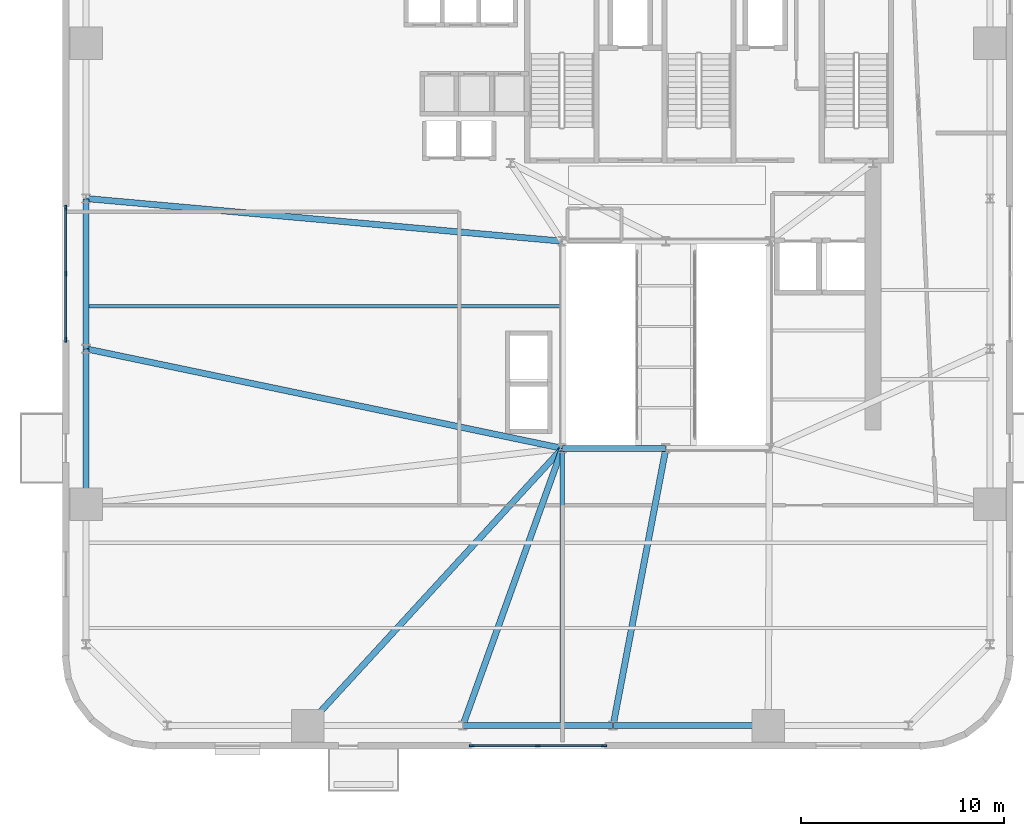
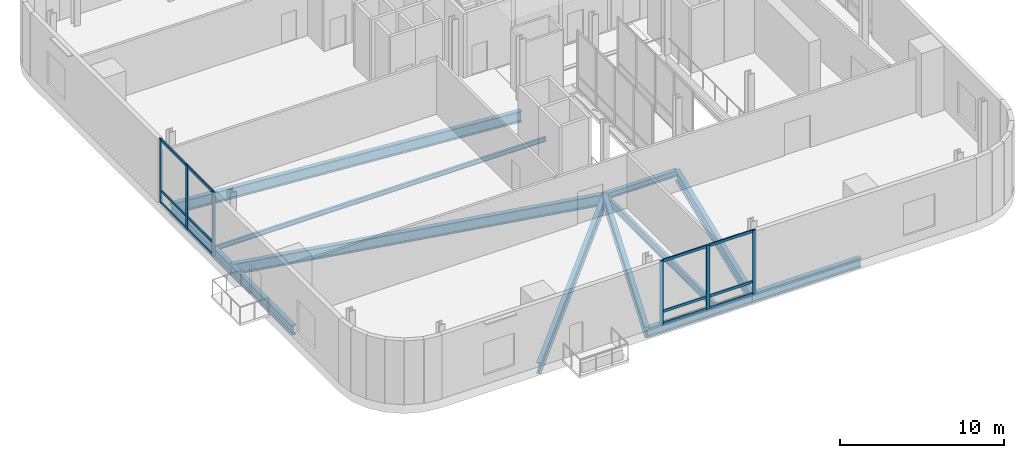
# One storey, part 2 of 13: 18 members, 12 beams, 2 elements without a shape of their own.
"""IFC4 building model written with IfcOpenShell, lengths in metres."""

from ifc_helpers import new_model, si_unit, direction, frame, origin, origin_2d, place, context, subcontext, project, spatial, rectangle, i_section, extrude, source, transform, mapped, material, material_profile, profile_set, type_object, element, aggregate, save


model = new_model("IFC4")

# Units and contexts
model_context = context("Model", 3, precision=1e-05, world=origin(), true_north=direction((0.0, 1.0)))
body_context = subcontext(model_context, "Body", "Model", "MODEL_VIEW")
ifc_project = project(units=[si_unit("LENGTHUNIT", "METRE"), si_unit("AREAUNIT", "SQUARE_METRE"), si_unit("VOLUMEUNIT", "CUBIC_METRE"), si_unit("PLANEANGLEUNIT", "RADIAN"), si_unit("MASSUNIT", "GRAM", prefix="KILO")], contexts=[model_context])

# Site, building, storey
site_placement = place(None, origin())
site = spatial("IfcSite", under=ifc_project, at=site_placement, CompositionType="ELEMENT")
building_placement = place(site_placement, origin())
building = spatial("IfcBuilding", under=site, at=building_placement, Name="Vardaveli Station Tower", CompositionType="ELEMENT")
storey_placement = place(building_placement, frame((0.0, 0.0, 98.699951171875)))
storey = spatial("IfcBuildingStorey", under=building, at=storey_placement, Name="L25", CompositionType="ELEMENT", Elevation=98.699951171875)

# Beams
ifc_material_1 = material(Name="Structural steel S355J2", Category="steel")
ifc_material_profile_1 = material_profile(ifc_material_1, i_section(OverallWidth=0.300048828125, OverallDepth=0.449951171875, WebThickness=0.013916015625, FlangeThickness=0.02587890625, FilletRadius=0.027099609375, at=origin_2d()), Name="HEB 450")
ifc_profile_set_1 = profile_set([ifc_material_profile_1], Name="Structural steel S355J2")
beam_type_1 = type_object("IfcBeamType", Name="BM-HEB450", PredefinedType="BEAM", material=ifc_profile_set_1)
shared_shape_1 = source(origin(), body_context, "Body", "SweptSolid", [
    extrude(i_section(OverallWidth=0.300048828125, OverallDepth=0.449951171875, WebThickness=0.013916015625, FlangeThickness=0.02587890625, FilletRadius=0.027099609375, at=origin_2d()), origin(), (0.0, 0.0, 1.0), 5.06005859375),
])
beam_1_placement = place(storey_placement, frame((31.219970703125, 16.60009765625, -0.875), z_axis=(1.0, 0.0, 0.0), x_axis=(0.0, 1.0, 0.0)))
element("IfcBeam", 1, at=beam_1_placement, inside=storey, type_object=beam_type_1, Name="ABM-L25-01", PredefinedType="BEAM", context=body_context, shape_type="MappedRepresentation", body=[
    mapped(shared_shape_1, transform((0.0, 0.0, 0.0), scale=1.0)),
])
ifc_material_profile_2 = material_profile(ifc_material_1, i_section(OverallWidth=0.2099609375, OverallDepth=0.550048828125, WebThickness=0.010986328125, FlangeThickness=0.01708984375, FilletRadius=0.02392578125, at=origin_2d()), Name="IPE 550")
ifc_profile_set_2 = profile_set([ifc_material_profile_2], Name="Structural steel S355J2")
beam_type_2 = type_object("IfcBeamType", Name="BM-IPE550", PredefinedType="BEAM", material=ifc_profile_set_2)
shared_shape_2 = source(origin(), body_context, "Body", "SweptSolid", [
    extrude(i_section(OverallWidth=0.2099609375, OverallDepth=0.550048828125, WebThickness=0.010986328125, FlangeThickness=0.01708984375, FilletRadius=0.02392578125, at=origin_2d()), origin(), (0.0, 0.0, 1.0), 13.469970703125),
])
beam_2_placement = place(storey_placement, frame((31.199951171875, 2.989990234375, -0.925048828125), z_axis=(0.0, 1.0, 0.0), x_axis=(-1.0, 0.0, 0.0)))
element("IfcBeam", 2, at=beam_2_placement, inside=storey, type_object=beam_type_2, Name="NSM-L25-S1", PredefinedType="BEAM", context=body_context, shape_type="MappedRepresentation", body=[
    mapped(shared_shape_2, transform((0.0, 0.0, 0.0), scale=1.0)),
])
ifc_material_2 = material(Name="Structural steel S460M", Category="steel")
ifc_material_profile_3 = material_profile(ifc_material_2, i_section(OverallWidth=0.303955078125, OverallDepth=0.716064453125, WebThickness=0.02099609375, FlangeThickness=0.0400390625, FilletRadius=0.027099609375, at=origin_2d()), Name="HEM 700")
ifc_profile_set_3 = profile_set([ifc_material_profile_3], Name="Structural steel S460M")
beam_type_3 = type_object("IfcBeamType", Name="BM-HEM700", PredefinedType="BEAM", material=ifc_profile_set_3)
shared_shape_3 = source(origin(), body_context, "Body", "SweptSolid", [
    extrude(i_section(OverallWidth=0.303955078125, OverallDepth=0.716064453125, WebThickness=0.02099609375, FlangeThickness=0.0400390625, FilletRadius=0.027099609375, at=origin_2d()), origin(), (0.0, 0.0, 1.0), 7.60009765625),
])
for number, where, z_axis, x_axis, name in (
    (3, (33.719970703125, 2.949951171875, -1.008056640625), (1.0, 0.0, 0.0), (0.0, 1.0, 0.0), "RBM-L25-03"),
    (4, (7.75, 21.47998046875, -1.008056640625), (0.0, -1.0, 0.0), (1.0, 0.0, 0.0), "RBM-L25-21"),
):
    element("IfcBeam", number, at=place(storey_placement, frame(where, z_axis=z_axis, x_axis=x_axis)), inside=storey, type_object=beam_type_3, Name=name, PredefinedType="BEAM", context=body_context, shape_type="MappedRepresentation", body=[
        mapped(shared_shape_3, transform((0.0, 0.0, 0.0), scale=1.0)),
    ])
shared_shape_4 = source(origin(), body_context, "Body", "SweptSolid", [
    extrude(i_section(OverallWidth=0.303955078125, OverallDepth=0.716064453125, WebThickness=0.02099609375, FlangeThickness=0.0400390625, FilletRadius=0.027099609375, at=origin_2d()), origin(), (0.0, 0.0, 1.0), 7.35986328125),
])
for number, where, z_axis, x_axis, name in (
    (5, (26.320068359375, 2.949951171875, -1.008056640625), (1.0, 0.0, 0.0), (0.0, 1.0, 0.0), "RBM-L25-02"),
    (6, (7.75, 28.8798828125, -1.008056640625), (0.0, -1.0, 0.0), (1.0, 0.0, 0.0), "RBM-L25-20"),
):
    element("IfcBeam", number, at=place(storey_placement, frame(where, z_axis=z_axis, x_axis=x_axis)), inside=storey, type_object=beam_type_3, Name=name, PredefinedType="BEAM", context=body_context, shape_type="MappedRepresentation", body=[
        mapped(shared_shape_4, transform((0.0, 0.0, 0.0), scale=1.0)),
    ])
ifc_material_profile_4 = material_profile(ifc_material_2, i_section(OverallWidth=0.305908203125, OverallDepth=0.81396484375, WebThickness=0.02099609375, FlangeThickness=0.0400390625, FilletRadius=0.027099609375, at=origin_2d()), Name="HEM 800")
ifc_profile_set_4 = profile_set([ifc_material_profile_4], Name="Structural steel S460M")
beam_type_4 = type_object("IfcBeamType", Name="BM-HEM800", PredefinedType="BEAM", material=ifc_profile_set_4)
shared_shape_5 = source(origin(), body_context, "Body", "SweptSolid", [
    extrude(i_section(OverallWidth=0.305908203125, OverallDepth=0.81396484375, WebThickness=0.02099609375, FlangeThickness=0.0400390625, FilletRadius=0.027099609375, at=origin_2d()), origin(), (0.0, 0.0, 1.0), 18.49560546875),
])
beam_3_placement = place(storey_placement, frame((18.673583984375, 2.96484375, -1.056884765625), z_axis=(0.676535341891, 0.736410165039, 0.0), x_axis=(-0.736410165039, 0.676535341891, 0.0)))
element("IfcBeam", 7, at=beam_3_placement, inside=storey, type_object=beam_type_4, Name="GBM-L25-01", PredefinedType="BEAM", context=body_context, shape_type="MappedRepresentation", body=[
    mapped(shared_shape_5, transform((0.0, 0.0, 0.0), scale=1.0)),
])
shared_shape_6 = source(origin(), body_context, "Body", "SweptSolid", [
    extrude(i_section(OverallWidth=0.305908203125, OverallDepth=0.81396484375, WebThickness=0.02099609375, FlangeThickness=0.0400390625, FilletRadius=0.027099609375, at=origin_2d()), origin(), (0.0, 0.0, 1.0), 14.462890625),
])
beam_4_placement = place(storey_placement, frame((26.306640625, 2.96875, -1.056884765625), z_axis=(0.337880090533, 0.941189165057, 0.0), x_axis=(-0.941189165057, 0.337880090533, 0.0)))
element("IfcBeam", 8, at=beam_4_placement, inside=storey, type_object=beam_type_4, Name="GBM-L25-02", PredefinedType="BEAM", context=body_context, shape_type="MappedRepresentation", body=[
    mapped(shared_shape_6, transform((0.0, 0.0, 0.0), scale=1.0)),
])
shared_shape_7 = source(origin(), body_context, "Body", "SweptSolid", [
    extrude(i_section(OverallWidth=0.305908203125, OverallDepth=0.81396484375, WebThickness=0.02099609375, FlangeThickness=0.0400390625, FilletRadius=0.027099609375, at=origin_2d()), origin(), (0.0, 0.0, 1.0), 13.855224609375),
])
beam_5_placement = place(storey_placement, frame((33.703857421875, 2.9697265625, -1.056884765625), z_axis=(0.187097533125, 0.982341342456, 0.0), x_axis=(-0.982341342456, 0.187097533125, 0.0)))
element("IfcBeam", 9, at=beam_5_placement, inside=storey, type_object=beam_type_4, Name="GBM-L25-03", PredefinedType="BEAM", context=body_context, shape_type="MappedRepresentation", body=[
    mapped(shared_shape_7, transform((0.0, 0.0, 0.0), scale=1.0)),
])
shared_shape_8 = source(origin(), body_context, "Body", "SweptSolid", [
    extrude(i_section(OverallWidth=0.305908203125, OverallDepth=0.81396484375, WebThickness=0.02099609375, FlangeThickness=0.0400390625, FilletRadius=0.027099609375, at=origin_2d()), origin(), (0.0, 0.0, 1.0), 23.50390625),
])
beam_6_placement = place(storey_placement, frame((7.77001953125, 28.898193359375, -1.056884765625), z_axis=(0.996014142198, -0.08919545135, 0.0), x_axis=(0.08919545135, 0.996014142198, 0.0)))
element("IfcBeam", 10, at=beam_6_placement, inside=storey, type_object=beam_type_4, Name="GBM-L25-08", PredefinedType="BEAM", context=body_context, shape_type="MappedRepresentation", body=[
    mapped(shared_shape_8, transform((0.0, 0.0, 0.0), scale=1.0)),
])
shared_shape_9 = source(origin(), body_context, "Body", "SweptSolid", [
    extrude(i_section(OverallWidth=0.305908203125, OverallDepth=0.81396484375, WebThickness=0.02099609375, FlangeThickness=0.0400390625, FilletRadius=0.027099609375, at=origin_2d()), origin(), (0.0, 0.0, 1.0), 23.91650390625),
])
beam_7_placement = place(storey_placement, frame((7.76953125, 21.495849609375, -1.056884765625), z_axis=(0.978858547354, -0.204538368703, 0.0), x_axis=(0.204538368703, 0.978858547354, 0.0)))
element("IfcBeam", 11, at=beam_7_placement, inside=storey, type_object=beam_type_4, Name="GBM-L25-09", PredefinedType="BEAM", context=body_context, shape_type="MappedRepresentation", body=[
    mapped(shared_shape_9, transform((0.0, 0.0, 0.0), scale=1.0)),
])
ifc_material_profile_5 = material_profile(ifc_material_1, i_section(OverallWidth=0.159912109375, OverallDepth=0.330078125, WebThickness=0.007568359375, FlangeThickness=0.011474609375, FilletRadius=0.01806640625, at=origin_2d()), Name="IPE 330")
ifc_profile_set_5 = profile_set([ifc_material_profile_5], Name="Structural steel S355J2")
beam_type_5 = type_object("IfcBeamType", Name="BM-IPE330", PredefinedType="JOIST", material=ifc_profile_set_5)
shared_shape_10 = source(origin(), body_context, "Body", "SweptSolid", [
    extrude(i_section(OverallWidth=0.159912109375, OverallDepth=0.330078125, WebThickness=0.007568359375, FlangeThickness=0.011474609375, FilletRadius=0.01806640625, at=origin_2d()), origin(), (0.0, 0.0, 1.0), 23.2978515625),
])
beam_8_placement = place(storey_placement, frame((7.7900390625, 23.60009765625, -0.81494140625), z_axis=(1.0, 0.0, 0.0), x_axis=(0.0, 1.0, 0.0)))
element("IfcBeam", 12, at=beam_8_placement, inside=storey, type_object=beam_type_5, Name="SJ-L25-W06", PredefinedType="JOIST", context=body_context, shape_type="MappedRepresentation", body=[
    mapped(shared_shape_10, transform((0.0, 0.0, 0.0), scale=1.0)),
])

# Curtain wall, members
ifc_material_3 = material(Name="Travertine stone and solar-control glass", Category="masonry")
curtain_wall_type = type_object("IfcCurtainWallType", Name="CW-SYS-3", PredefinedType="NOTDEFINED", material=ifc_material_3)
curtain_wall_1_placement = place(storey_placement, origin())
curtain_wall_1 = element("IfcCurtainWall", 13, at=curtain_wall_1_placement, inside=storey, type_object=curtain_wall_type, Name="CW-L25-S", PredefinedType="NOTDEFINED")
ifc_material_4 = material(Name="Anodised aluminium alloy 6063-T6", Category="aluminium")
ifc_material_profile_6 = material_profile(ifc_material_4, rectangle(XDim=0.090087890625, YDim=0.25, at=origin_2d()), Name="CWM 90x250")
ifc_profile_set_6 = profile_set([ifc_material_profile_6], Name="Anodised aluminium alloy 6063-T6")
member_type_1 = type_object("IfcMemberType", Name="CW-SYS-3-MULL", PredefinedType="MULLION", material=ifc_profile_set_6)
shared_shape_11 = source(origin(), body_context, "Body", "SweptSolid", [
    extrude(rectangle(XDim=0.090087890625, YDim=0.25, at=origin_2d()), origin(), (0.0, 0.0, 1.0), 4.760009765625),
])
member_1_placement = place(storey_placement, frame((26.7451171875, 1.9599609375, 0.0), z_axis=(0.0, 0.0, 1.0), x_axis=(0.0, 1.0, 0.0)))
member_1 = element("IfcMember", 14, at=member_1_placement, type_object=member_type_1, Name="CW-3 mullion 1", PredefinedType="MULLION", context=body_context, shape_type="MappedRepresentation", body=[
    mapped(shared_shape_11, transform((0.0, 0.0, 0.0), scale=1.0)),
])
member_2_placement = place(storey_placement, frame((30.0, 1.9599609375, 0.0), z_axis=(0.0, 0.0, 1.0), x_axis=(0.0, 1.0, 0.0)))
member_2 = element("IfcMember", 15, at=member_2_placement, type_object=member_type_1, Name="CW-3 mullion 2", PredefinedType="MULLION", context=body_context, shape_type="MappedRepresentation", body=[
    mapped(shared_shape_11, transform((0.0, 0.0, 0.0), scale=1.0)),
])
member_3_placement = place(storey_placement, frame((33.2548828125, 1.9599609375, 0.0), z_axis=(0.0, 0.0, 1.0), x_axis=(0.0, 1.0, 0.0)))
member_3 = element("IfcMember", 16, at=member_3_placement, type_object=member_type_1, Name="CW-3 mullion 3", PredefinedType="MULLION", context=body_context, shape_type="MappedRepresentation", body=[
    mapped(shared_shape_11, transform((0.0, 0.0, 0.0), scale=1.0)),
])

curtain_wall_2_placement = place(storey_placement, origin())
curtain_wall_2 = element("IfcCurtainWall", 17, at=curtain_wall_2_placement, inside=storey, type_object=curtain_wall_type, Name="CW-L25-W", PredefinedType="NOTDEFINED")
member_4_placement = place(storey_placement, frame((6.760009765625, 28.455078125, 0.0), z_axis=(0.0, 0.0, 1.0), x_axis=(1.0, 0.0, 0.0)))
member_4 = element("IfcMember", 18, at=member_4_placement, type_object=member_type_1, Name="CW-3 mullion 1", PredefinedType="MULLION", context=body_context, shape_type="MappedRepresentation", body=[
    mapped(shared_shape_11, transform((0.0, 0.0, 0.0), scale=1.0)),
])
member_5_placement = place(storey_placement, frame((6.760009765625, 25.199951171875, 0.0), z_axis=(0.0, 0.0, 1.0), x_axis=(1.0, 0.0, 0.0)))
member_5 = element("IfcMember", 19, at=member_5_placement, type_object=member_type_1, Name="CW-3 mullion 2", PredefinedType="MULLION", context=body_context, shape_type="MappedRepresentation", body=[
    mapped(shared_shape_11, transform((0.0, 0.0, 0.0), scale=1.0)),
])
member_6_placement = place(storey_placement, frame((6.760009765625, 21.945068359375, 0.0), z_axis=(0.0, 0.0, 1.0), x_axis=(1.0, 0.0, 0.0)))
member_6 = element("IfcMember", 20, at=member_6_placement, type_object=member_type_1, Name="CW-3 mullion 3", PredefinedType="MULLION", context=body_context, shape_type="MappedRepresentation", body=[
    mapped(shared_shape_11, transform((0.0, 0.0, 0.0), scale=1.0)),
])

# Member
ifc_material_profile_7 = material_profile(ifc_material_4, rectangle(XDim=0.090087890625, YDim=0.199951171875, at=origin_2d()), Name="CWT 90x200")
ifc_profile_set_7 = profile_set([ifc_material_profile_7], Name="Anodised aluminium alloy 6063-T6")
member_type_2 = type_object("IfcMemberType", Name="CW-SYS-3-TRAN", PredefinedType="NOTDEFINED", material=ifc_profile_set_7)
shared_shape_12 = source(origin(), body_context, "Body", "SweptSolid", [
    extrude(rectangle(XDim=0.090087890625, YDim=0.199951171875, at=origin_2d()), origin(), (0.0, 0.0, 1.0), 3.1650390625),
])
member_7_placement = place(storey_placement, frame((26.7900390625, 1.9599609375, 0.045166015625), z_axis=(1.0, 0.0, 0.0), x_axis=(0.0, 1.0, 0.0)))
member_7 = element("IfcMember", 21, at=member_7_placement, type_object=member_type_2, Name="CW-3 transom 1.1", ObjectType="TRANSOM", PredefinedType="USERDEFINED", context=body_context, shape_type="MappedRepresentation", body=[
    mapped(shared_shape_12, transform((0.0, 0.0, 0.0), scale=1.0)),
])

member_8_placement = place(storey_placement, frame((26.7900390625, 1.9599609375, 0.949951171875), z_axis=(1.0, 0.0, 0.0), x_axis=(0.0, 1.0, 0.0)))
member_8 = element("IfcMember", 22, at=member_8_placement, type_object=member_type_2, Name="CW-3 transom 1.2", ObjectType="TRANSOM", PredefinedType="USERDEFINED", context=body_context, shape_type="MappedRepresentation", body=[
    mapped(shared_shape_12, transform((0.0, 0.0, 0.0), scale=1.0)),
])

member_9_placement = place(storey_placement, frame((26.7900390625, 1.9599609375, 4.715087890625), z_axis=(1.0, 0.0, 0.0), x_axis=(0.0, 1.0, 0.0)))
member_9 = element("IfcMember", 23, at=member_9_placement, type_object=member_type_2, Name="CW-3 transom 1.3", ObjectType="TRANSOM", PredefinedType="USERDEFINED", context=body_context, shape_type="MappedRepresentation", body=[
    mapped(shared_shape_12, transform((0.0, 0.0, 0.0), scale=1.0)),
])

member_10_placement = place(storey_placement, frame((30.044921875, 1.9599609375, 0.045166015625), z_axis=(1.0, 0.0, 0.0), x_axis=(0.0, 1.0, 0.0)))
member_10 = element("IfcMember", 24, at=member_10_placement, type_object=member_type_2, Name="CW-3 transom 2.1", ObjectType="TRANSOM", PredefinedType="USERDEFINED", context=body_context, shape_type="MappedRepresentation", body=[
    mapped(shared_shape_12, transform((0.0, 0.0, 0.0), scale=1.0)),
])

member_11_placement = place(storey_placement, frame((30.044921875, 1.9599609375, 0.949951171875), z_axis=(1.0, 0.0, 0.0), x_axis=(0.0, 1.0, 0.0)))
member_11 = element("IfcMember", 25, at=member_11_placement, type_object=member_type_2, Name="CW-3 transom 2.2", ObjectType="TRANSOM", PredefinedType="USERDEFINED", context=body_context, shape_type="MappedRepresentation", body=[
    mapped(shared_shape_12, transform((0.0, 0.0, 0.0), scale=1.0)),
])

member_12_placement = place(storey_placement, frame((30.044921875, 1.9599609375, 4.715087890625), z_axis=(1.0, 0.0, 0.0), x_axis=(0.0, 1.0, 0.0)))
member_12 = element("IfcMember", 26, at=member_12_placement, type_object=member_type_2, Name="CW-3 transom 2.3", ObjectType="TRANSOM", PredefinedType="USERDEFINED", context=body_context, shape_type="MappedRepresentation", body=[
    mapped(shared_shape_12, transform((0.0, 0.0, 0.0), scale=1.0)),
])

aggregate(curtain_wall_1, [member_1, member_2, member_3, member_7, member_8, member_9, member_10, member_11, member_12])

member_13_placement = place(storey_placement, frame((6.760009765625, 25.155029296875, 0.045166015625), z_axis=(0.0, -1.0, 0.0), x_axis=(1.0, 0.0, 0.0)))
member_13 = element("IfcMember", 27, at=member_13_placement, type_object=member_type_2, Name="CW-3 transom 2.1", ObjectType="TRANSOM", PredefinedType="USERDEFINED", context=body_context, shape_type="MappedRepresentation", body=[
    mapped(shared_shape_12, transform((0.0, 0.0, 0.0), scale=1.0)),
])

member_14_placement = place(storey_placement, frame((6.760009765625, 25.155029296875, 0.949951171875), z_axis=(0.0, -1.0, 0.0), x_axis=(1.0, 0.0, 0.0)))
member_14 = element("IfcMember", 28, at=member_14_placement, type_object=member_type_2, Name="CW-3 transom 2.2", ObjectType="TRANSOM", PredefinedType="USERDEFINED", context=body_context, shape_type="MappedRepresentation", body=[
    mapped(shared_shape_12, transform((0.0, 0.0, 0.0), scale=1.0)),
])

member_15_placement = place(storey_placement, frame((6.760009765625, 25.155029296875, 4.715087890625), z_axis=(0.0, -1.0, 0.0), x_axis=(1.0, 0.0, 0.0)))
member_15 = element("IfcMember", 29, at=member_15_placement, type_object=member_type_2, Name="CW-3 transom 2.3", ObjectType="TRANSOM", PredefinedType="USERDEFINED", context=body_context, shape_type="MappedRepresentation", body=[
    mapped(shared_shape_12, transform((0.0, 0.0, 0.0), scale=1.0)),
])

shared_shape_13 = source(origin(), body_context, "Body", "SweptSolid", [
    extrude(rectangle(XDim=0.090087890625, YDim=0.199951171875, at=origin_2d()), origin(), (0.0, 0.0, 1.0), 3.164794921875),
])
member_16_placement = place(storey_placement, frame((6.760009765625, 28.409912109375, 0.045166015625), z_axis=(0.0, -1.0, 0.0), x_axis=(1.0, 0.0, 0.0)))
member_16 = element("IfcMember", 30, at=member_16_placement, type_object=member_type_2, Name="CW-3 transom 1.1", ObjectType="TRANSOM", PredefinedType="USERDEFINED", context=body_context, shape_type="MappedRepresentation", body=[
    mapped(shared_shape_13, transform((0.0, 0.0, 0.0), scale=1.0)),
])

member_17_placement = place(storey_placement, frame((6.760009765625, 28.409912109375, 0.949951171875), z_axis=(0.0, -1.0, 0.0), x_axis=(1.0, 0.0, 0.0)))
member_17 = element("IfcMember", 31, at=member_17_placement, type_object=member_type_2, Name="CW-3 transom 1.2", ObjectType="TRANSOM", PredefinedType="USERDEFINED", context=body_context, shape_type="MappedRepresentation", body=[
    mapped(shared_shape_13, transform((0.0, 0.0, 0.0), scale=1.0)),
])

member_18_placement = place(storey_placement, frame((6.760009765625, 28.409912109375, 4.715087890625), z_axis=(0.0, -1.0, 0.0), x_axis=(1.0, 0.0, 0.0)))
member_18 = element("IfcMember", 32, at=member_18_placement, type_object=member_type_2, Name="CW-3 transom 1.3", ObjectType="TRANSOM", PredefinedType="USERDEFINED", context=body_context, shape_type="MappedRepresentation", body=[
    mapped(shared_shape_13, transform((0.0, 0.0, 0.0), scale=1.0)),
])

aggregate(curtain_wall_2, [member_4, member_5, member_6, member_16, member_17, member_18, member_13, member_14, member_15])

save(model, "model.ifc")
